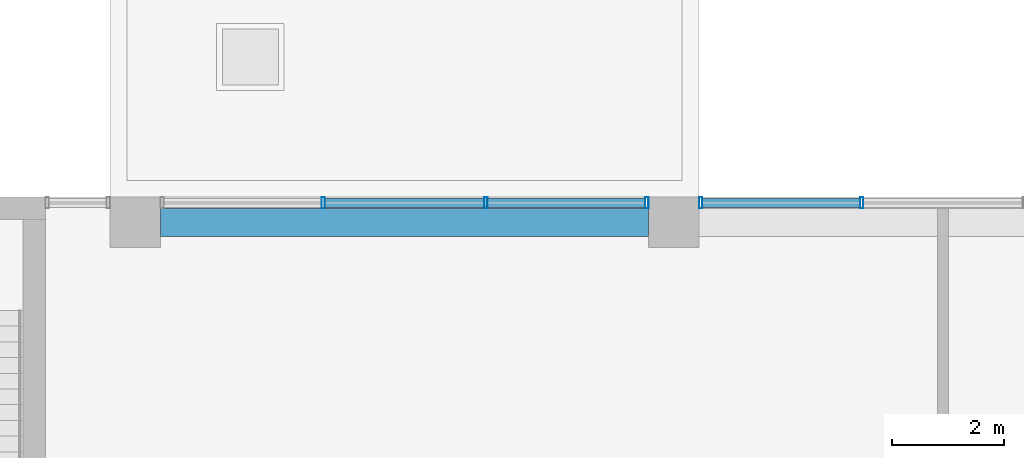
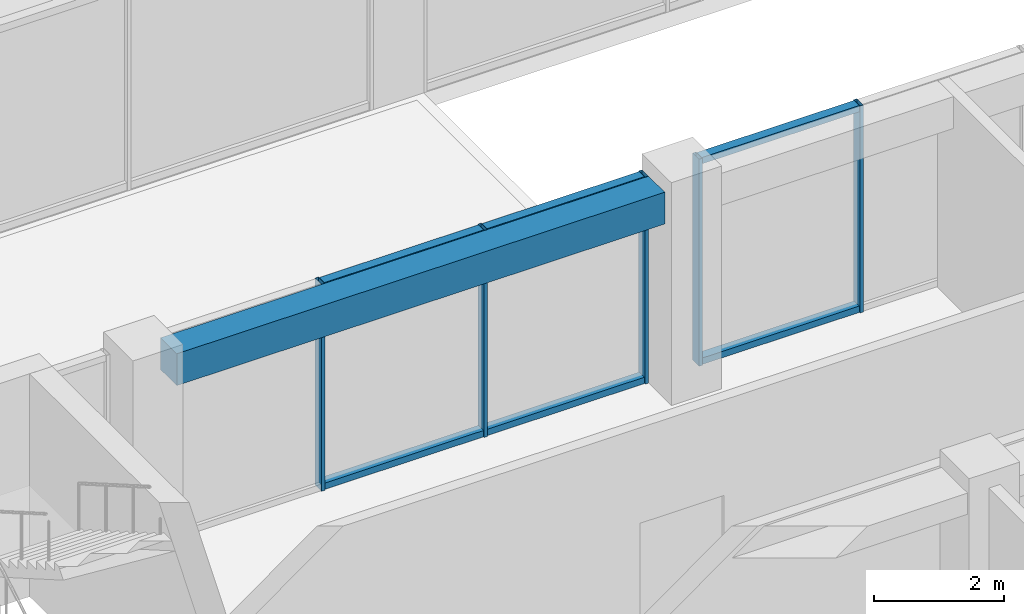
# One storey, part 16 of 38: 11 members, 1 beam, 2 elements without a shape of their own.
"""IFC4 building model written with IfcOpenShell, lengths in metres."""

from ifc_helpers import new_model, si_unit, direction, frame, origin, origin_2d, place, context, subcontext, project, spatial, rectangle, hollow_rectangle, extrude, material, layer, layer_set, material_profile, profile_set, type_object, element, aggregate, save


model = new_model("IFC4")

# Units and contexts
model_context = context("Model", 3, precision=1e-05, world=origin(), true_north=direction((0.0, 1.0)))
body_context = subcontext(model_context, "Body", "Model", "MODEL_VIEW")
ifc_project = project(units=[si_unit("LENGTHUNIT", "METRE"), si_unit("AREAUNIT", "SQUARE_METRE"), si_unit("VOLUMEUNIT", "CUBIC_METRE"), si_unit("PLANEANGLEUNIT", "RADIAN"), si_unit("MASSUNIT", "GRAM", prefix="KILO")], contexts=[model_context])

# Site, building, storey
site_placement = place(None, origin())
site = spatial("IfcSite", under=ifc_project, at=site_placement, CompositionType="ELEMENT")
building_placement = place(site_placement, origin())
building = spatial("IfcBuilding", under=site, at=building_placement, Name="Nzadi Deep Aquarium and Research Tower", CompositionType="ELEMENT")
storey_placement = place(building_placement, frame((0.0, 0.0, 52.89990234375)))
storey = spatial("IfcBuildingStorey", under=building, at=storey_placement, Name="L10", CompositionType="ELEMENT", Elevation=52.89990234375)

# Curtain wall, members
ifc_material_1 = material(Name="Aluminium unitised frame", Category="aluminium")
ifc_layer = layer(ifc_material_1, 0.199951171875)
ifc_layer_set = layer_set([ifc_layer], Name="Aluminium unitised frame")
curtain_wall_type = type_object("IfcCurtainWallType", Name="Curtain wall Unitised 200", PredefinedType="NOTDEFINED", material=ifc_layer_set)
curtain_wall_1_placement = place(storey_placement, origin())
curtain_wall_1 = element("IfcCurtainWall", 1, at=curtain_wall_1_placement, inside=storey, type_object=curtain_wall_type, Name="Unitised curtain wall blade A north L10", PredefinedType="NOTDEFINED")
ifc_material_2 = material(Name="Aluminium unitised frame", Category="aluminium")
ifc_material_profile_1 = material_profile(ifc_material_2, hollow_rectangle(XDim=0.199951171875, YDim=0.06005859375, WallThickness=0.0048828125, at=origin_2d()))
ifc_profile_set_1 = profile_set([ifc_material_profile_1], Name="Aluminium unitised frame")
member_type_1 = type_object("IfcMemberType", Name="Mullion 60x200 Unitised", PredefinedType="MULLION", material=ifc_profile_set_1)
member_1_placement = place(storey_placement, frame((32.14990234375, 18.75, 0.0), z_axis=(0.0, 0.0, 1.0), x_axis=(0.0, 1.0, 0.0)))
member_1 = element("IfcMember", 2, at=member_1_placement, type_object=member_type_1, Name="CW041 mullion 2", PredefinedType="MULLION", context=body_context, shape_type="SweptSolid", body=[
    extrude(hollow_rectangle(XDim=0.199951171875, YDim=0.06005859375, WallThickness=0.0048828125, at=origin_2d()), origin(), (0.0, 0.0, 1.0), 3.900146484375),
])
member_2_placement = place(storey_placement, frame((35.050048828125, 18.75, 0.0), z_axis=(0.0, 0.0, 1.0), x_axis=(0.0, 1.0, 0.0)))
member_2 = element("IfcMember", 3, at=member_2_placement, type_object=member_type_1, Name="CW041 mullion 3", PredefinedType="MULLION", context=body_context, shape_type="SweptSolid", body=[
    extrude(hollow_rectangle(XDim=0.199951171875, YDim=0.06005859375, WallThickness=0.0048828125, at=origin_2d()), origin(), (0.0, 0.0, 1.0), 3.900146484375),
])
member_3_placement = place(storey_placement, frame((37.919921875, 18.75, 0.0), z_axis=(0.0, 0.0, 1.0), x_axis=(0.0, 1.0, 0.0)))
member_3 = element("IfcMember", 4, at=member_3_placement, type_object=member_type_1, Name="CW041 mullion 4", PredefinedType="MULLION", context=body_context, shape_type="SweptSolid", body=[
    extrude(hollow_rectangle(XDim=0.199951171875, YDim=0.06005859375, WallThickness=0.0048828125, at=origin_2d()), origin(), (0.0, 0.0, 1.0), 3.900146484375),
])

curtain_wall_2_placement = place(storey_placement, origin())
curtain_wall_2 = element("IfcCurtainWall", 5, at=curtain_wall_2_placement, inside=storey, type_object=curtain_wall_type, Name="Unitised curtain wall blade A north L10", PredefinedType="NOTDEFINED")
member_4_placement = place(storey_placement, frame((38.8798828125, 18.75, 0.0), z_axis=(0.0, 0.0, 1.0), x_axis=(0.0, 1.0, 0.0)))
member_4 = element("IfcMember", 6, at=member_4_placement, type_object=member_type_1, Name="CW042 mullion 1", PredefinedType="MULLION", context=body_context, shape_type="SweptSolid", body=[
    extrude(hollow_rectangle(XDim=0.199951171875, YDim=0.06005859375, WallThickness=0.0048828125, at=origin_2d()), origin(), (0.0, 0.0, 1.0), 3.900146484375),
])
member_5_placement = place(storey_placement, frame((41.75, 18.75, 0.0), z_axis=(0.0, 0.0, 1.0), x_axis=(0.0, 1.0, 0.0)))
member_5 = element("IfcMember", 7, at=member_5_placement, type_object=member_type_1, Name="CW042 mullion 2", PredefinedType="MULLION", context=body_context, shape_type="SweptSolid", body=[
    extrude(hollow_rectangle(XDim=0.199951171875, YDim=0.06005859375, WallThickness=0.0048828125, at=origin_2d()), origin(), (0.0, 0.0, 1.0), 3.900146484375),
])

# Beam
ifc_material_3 = material(Name="Concrete C35/45", Category="concrete")
ifc_material_profile_2 = material_profile(ifc_material_3, rectangle(XDim=0.5, YDim=0.60009765625, at=origin_2d()))
ifc_profile_set_2 = profile_set([ifc_material_profile_2], Name="Concrete C35/45")
beam_type = type_object("IfcBeamType", Name="RC 500x600", PredefinedType="BEAM", material=ifc_profile_set_2)
beam_placement = place(storey_placement, frame((29.25, 18.39990234375, 3.60009765625), z_axis=(1.0, 0.0, 0.0), x_axis=(0.0, 1.0, 0.0)))
element("IfcBeam", 8, at=beam_placement, inside=storey, type_object=beam_type, Name="B-Z1-L10-L3-4", PredefinedType="BEAM", context=body_context, shape_type="SweptSolid", body=[
    extrude(rectangle(XDim=0.5, YDim=0.60009765625, at=origin_2d()), origin(), (0.0, 0.0, 1.0), 8.699951171875),
])

# Member
ifc_material_4 = material(Name="Aluminium unitised frame", Category="aluminium")
ifc_material_profile_3 = material_profile(ifc_material_4, hollow_rectangle(XDim=0.159912109375, YDim=0.1201171875, WallThickness=0.0048828125, at=origin_2d()))
ifc_profile_set_3 = profile_set([ifc_material_profile_3], Name="Aluminium unitised frame")
member_type_2 = type_object("IfcMemberType", Name="Transom 120x160 Unitised", PredefinedType="MULLION", material=ifc_profile_set_3)
member_6_placement = place(storey_placement, frame((32.179931640625, 18.75, 0.06005859375), z_axis=(1.0, 0.0, 0.0), x_axis=(0.0, 1.0, 0.0)))
member_6 = element("IfcMember", 9, at=member_6_placement, type_object=member_type_2, Name="CW041 transom 2.1", PredefinedType="MULLION", context=body_context, shape_type="SweptSolid", body=[
    extrude(hollow_rectangle(XDim=0.159912109375, YDim=0.1201171875, WallThickness=0.0048828125, at=origin_2d()), origin(), (0.0, 0.0, 1.0), 2.840087890625),
])

member_7_placement = place(storey_placement, frame((32.179931640625, 18.75, 3.840087890625), z_axis=(1.0, 0.0, 0.0), x_axis=(0.0, 1.0, 0.0)))
member_7 = element("IfcMember", 10, at=member_7_placement, type_object=member_type_2, Name="CW041 transom 2.2", PredefinedType="MULLION", context=body_context, shape_type="SweptSolid", body=[
    extrude(hollow_rectangle(XDim=0.159912109375, YDim=0.1201171875, WallThickness=0.0048828125, at=origin_2d()), origin(), (0.0, 0.0, 1.0), 2.840087890625),
])

member_8_placement = place(storey_placement, frame((35.080078125, 18.75, 0.06005859375), z_axis=(1.0, 0.0, 0.0), x_axis=(0.0, 1.0, 0.0)))
member_8 = element("IfcMember", 11, at=member_8_placement, type_object=member_type_2, Name="CW041 transom 3.1", PredefinedType="MULLION", context=body_context, shape_type="SweptSolid", body=[
    extrude(hollow_rectangle(XDim=0.159912109375, YDim=0.1201171875, WallThickness=0.0048828125, at=origin_2d()), origin(), (0.0, 0.0, 1.0), 2.809814453125),
])

member_9_placement = place(storey_placement, frame((35.080078125, 18.75, 3.840087890625), z_axis=(1.0, 0.0, 0.0), x_axis=(0.0, 1.0, 0.0)))
member_9 = element("IfcMember", 12, at=member_9_placement, type_object=member_type_2, Name="CW041 transom 3.2", PredefinedType="MULLION", context=body_context, shape_type="SweptSolid", body=[
    extrude(hollow_rectangle(XDim=0.159912109375, YDim=0.1201171875, WallThickness=0.0048828125, at=origin_2d()), origin(), (0.0, 0.0, 1.0), 2.809814453125),
])

aggregate(curtain_wall_1, [member_1, member_2, member_3, member_6, member_7, member_8, member_9])

member_10_placement = place(storey_placement, frame((38.909912109375, 18.75, 0.06005859375), z_axis=(1.0, 0.0, 0.0), x_axis=(0.0, 1.0, 0.0)))
member_10 = element("IfcMember", 13, at=member_10_placement, type_object=member_type_2, Name="CW042 transom 1.1", PredefinedType="MULLION", context=body_context, shape_type="SweptSolid", body=[
    extrude(hollow_rectangle(XDim=0.159912109375, YDim=0.1201171875, WallThickness=0.0048828125, at=origin_2d()), origin(), (0.0, 0.0, 1.0), 2.81005859375),
])

member_11_placement = place(storey_placement, frame((38.909912109375, 18.75, 3.840087890625), z_axis=(1.0, 0.0, 0.0), x_axis=(0.0, 1.0, 0.0)))
member_11 = element("IfcMember", 14, at=member_11_placement, type_object=member_type_2, Name="CW042 transom 1.2", PredefinedType="MULLION", context=body_context, shape_type="SweptSolid", body=[
    extrude(hollow_rectangle(XDim=0.159912109375, YDim=0.1201171875, WallThickness=0.0048828125, at=origin_2d()), origin(), (0.0, 0.0, 1.0), 2.81005859375),
])

aggregate(curtain_wall_2, [member_4, member_5, member_10, member_11])

save(model, "model.ifc")
